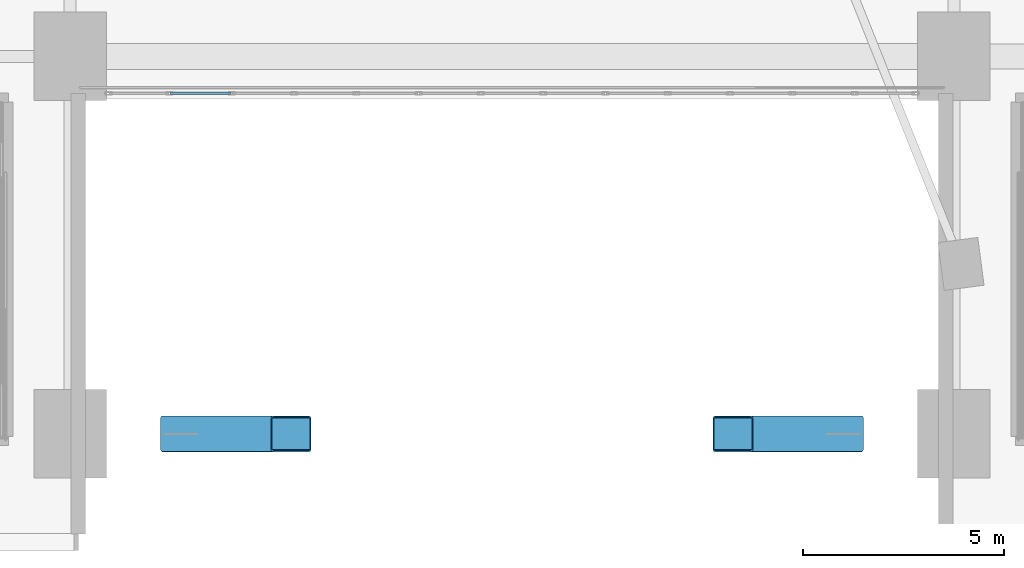
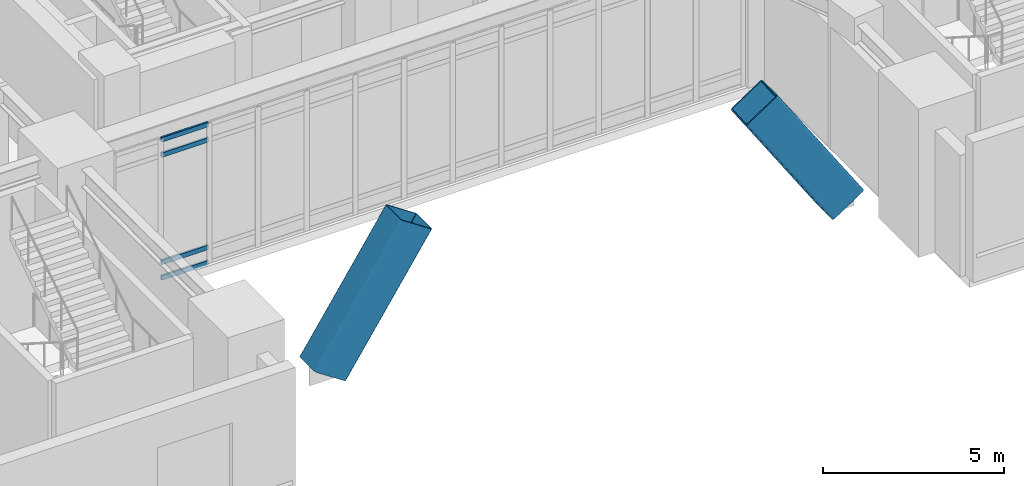
# One storey, part 5 of 26: 6 members, 1 element without a shape of its own.
"""IFC4 building model written with IfcOpenShell, lengths in metres."""

from ifc_helpers import new_model, si_unit, direction, frame, origin, origin_2d, place, context, subcontext, project, spatial, hollow_rectangle, extrude, material, layer, layer_set, material_profile, profile_set, type_object, element, aggregate, save


model = new_model("IFC4")

# Units and contexts
model_context = context("Model", 3, precision=1e-05, world=origin(), true_north=direction((0.0, 1.0)))
body_context = subcontext(model_context, "Body", "Model", "MODEL_VIEW")
ifc_project = project(units=[si_unit("LENGTHUNIT", "METRE"), si_unit("AREAUNIT", "SQUARE_METRE"), si_unit("VOLUMEUNIT", "CUBIC_METRE"), si_unit("PLANEANGLEUNIT", "RADIAN"), si_unit("MASSUNIT", "GRAM", prefix="KILO")], contexts=[model_context])

# Site, building, storey
site_placement = place(None, origin())
site = spatial("IfcSite", under=ifc_project, at=site_placement, CompositionType="ELEMENT")
building_placement = place(site_placement, origin())
building = spatial("IfcBuilding", under=site, at=building_placement, Name="Ndelora Gate Hotel", CompositionType="ELEMENT")
storey_placement = place(building_placement, frame((0.0, 0.0, 6.0)))
storey = spatial("IfcBuildingStorey", under=building, at=storey_placement, Name="L01", CompositionType="ELEMENT", Elevation=6.0)

# Members
ifc_material_1 = material(Name="Steel S460", Category="steel")
ifc_material_profile_1 = material_profile(ifc_material_1, hollow_rectangle(XDim=0.89990234375, YDim=1.199951171875, WallThickness=0.035888671875, InnerFilletRadius=0.035888671875, OuterFilletRadius=0.072021484375, at=origin_2d()), Name="BOX 1200x900x36")
ifc_profile_set_1 = profile_set([ifc_material_profile_1], Name="Steel S460")
member_type_1 = type_object("IfcMemberType", Name="MB-ARCH-RIB2", PredefinedType="CHORD", material=ifc_profile_set_1)
for number, where, z_axis, x_axis, name in (
    (1, (-8.25, -18.800048828125, 2.018798828125), (0.551802770318, 0.0, 0.833974641503), (0.0, 1.0, 0.0), "Portal Arch Parabolic Rib S-2"),
    (2, (5.5, -18.800048828125, 6.175048828125), (0.551802770318, 0.0, -0.833974641503), (0.0, 1.0, 0.0), "Portal Arch Parabolic Rib S-7"),
):
    element("IfcMember", number, at=place(storey_placement, frame(where, z_axis=z_axis, x_axis=x_axis)), inside=storey, type_object=member_type_1, Name=name, PredefinedType="CHORD", context=body_context, shape_type="SweptSolid", body=[
        extrude(hollow_rectangle(XDim=0.89990234375, YDim=1.199951171875, WallThickness=0.035888671875, InnerFilletRadius=0.035888671875, OuterFilletRadius=0.072021484375, at=origin_2d()), origin(), (0.0, 0.0, 1.0), 4.983642578125),
    ])

# Curtain wall, members
ifc_material_2 = material(Name="Bronze Anodised Unitised Aluminium and Low-E Glass", Category="aluminium")
ifc_layer = layer(ifc_material_2, 0.239990234375)
ifc_layer_set = layer_set([ifc_layer], Name="Bronze Anodised Unitised Aluminium and Low-E Glass")
curtain_wall_type = type_object("IfcCurtainWallType", Name="CW-SYS-1", PredefinedType="NOTDEFINED", material=ifc_layer_set)
curtain_wall_placement = place(storey_placement, origin())
curtain_wall = element("IfcCurtainWall", 3, at=curtain_wall_placement, inside=storey, type_object=curtain_wall_type, Name="L01 South Portal Arch Concourse Curtain Wall CW1", PredefinedType="NOTDEFINED")
ifc_material_3 = material(Name="Bronze Anodised Aluminium 6063-T6", Category="aluminium")
ifc_material_profile_2 = material_profile(ifc_material_3, hollow_rectangle(XDim=0.06494140625, YDim=0.159912109375, WallThickness=0.00390625, InnerFilletRadius=0.00390625, OuterFilletRadius=0.008056640625, at=origin_2d()), Name="ALU 160x65x4")
ifc_profile_set_2 = profile_set([ifc_material_profile_2], Name="Bronze Anodised Aluminium 6063-T6")
member_type_2 = type_object("IfcMemberType", Name="MB-CW-TRN150", PredefinedType="USERDEFINED", material=ifc_profile_set_2)
member_1_placement = place(storey_placement, frame((-8.500244140625, -10.320068359375, 0.032470703125), z_axis=(1.0, 0.0, 0.0), x_axis=(0.0, 1.0, 0.0)))
member_1 = element("IfcMember", 4, at=member_1_placement, type_object=member_type_2, Name="CW1 transom 2.1", ObjectType="TRANSOM", PredefinedType="USERDEFINED", context=body_context, shape_type="SweptSolid", body=[
    extrude(hollow_rectangle(XDim=0.06494140625, YDim=0.159912109375, WallThickness=0.00390625, InnerFilletRadius=0.00390625, OuterFilletRadius=0.008056640625, at=origin_2d()), origin(), (0.0, 0.0, 1.0), 1.49267578125),
])
member_2_placement = place(storey_placement, frame((-8.500244140625, -10.320068359375, 0.550048828125), z_axis=(1.0, 0.0, 0.0), x_axis=(0.0, 1.0, 0.0)))
member_2 = element("IfcMember", 5, at=member_2_placement, type_object=member_type_2, Name="CW1 transom 2.2", ObjectType="TRANSOM", PredefinedType="USERDEFINED", context=body_context, shape_type="SweptSolid", body=[
    extrude(hollow_rectangle(XDim=0.06494140625, YDim=0.159912109375, WallThickness=0.00390625, InnerFilletRadius=0.00390625, OuterFilletRadius=0.008056640625, at=origin_2d()), origin(), (0.0, 0.0, 1.0), 1.49267578125),
])
member_3_placement = place(storey_placement, frame((-8.500244140625, -10.320068359375, 4.169921875), z_axis=(1.0, 0.0, 0.0), x_axis=(0.0, 1.0, 0.0)))
member_3 = element("IfcMember", 6, at=member_3_placement, type_object=member_type_2, Name="CW1 transom 2.3", ObjectType="TRANSOM", PredefinedType="USERDEFINED", context=body_context, shape_type="SweptSolid", body=[
    extrude(hollow_rectangle(XDim=0.06494140625, YDim=0.159912109375, WallThickness=0.00390625, InnerFilletRadius=0.00390625, OuterFilletRadius=0.008056640625, at=origin_2d()), origin(), (0.0, 0.0, 1.0), 1.49267578125),
])
member_4_placement = place(storey_placement, frame((-8.500244140625, -10.320068359375, 4.6875), z_axis=(1.0, 0.0, 0.0), x_axis=(0.0, 1.0, 0.0)))
member_4 = element("IfcMember", 7, at=member_4_placement, type_object=member_type_2, Name="CW1 transom 2.4", ObjectType="TRANSOM", PredefinedType="USERDEFINED", context=body_context, shape_type="SweptSolid", body=[
    extrude(hollow_rectangle(XDim=0.06494140625, YDim=0.159912109375, WallThickness=0.00390625, InnerFilletRadius=0.00390625, OuterFilletRadius=0.008056640625, at=origin_2d()), origin(), (0.0, 0.0, 1.0), 1.49267578125),
])
aggregate(curtain_wall, [member_1, member_2, member_3, member_4])

save(model, "model.ifc")
